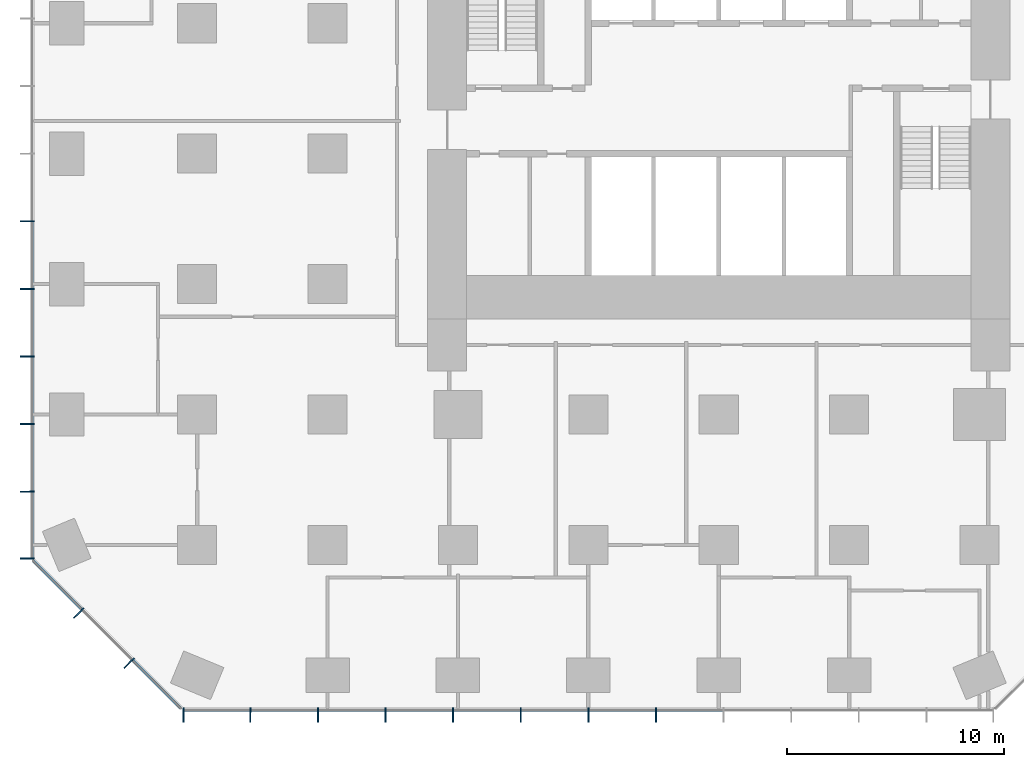
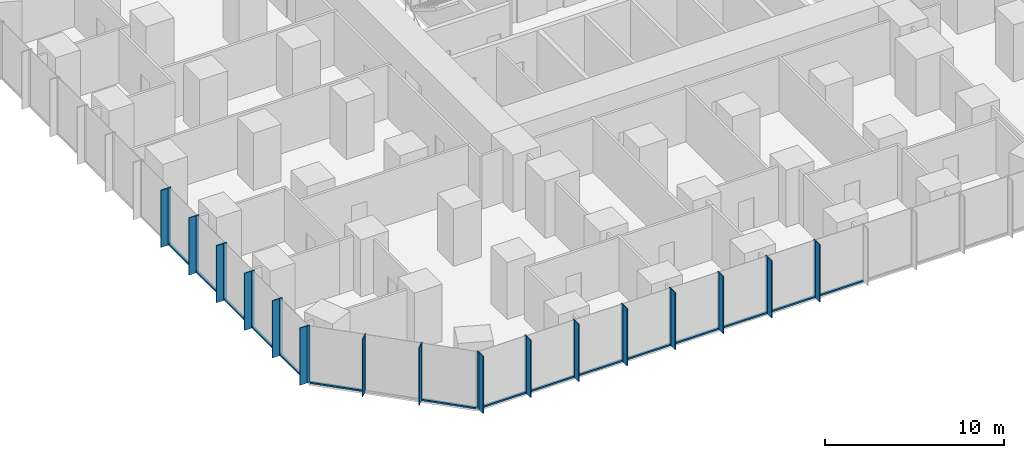
# One storey, part 2 of 12: 47 members, 3 elements without a shape of their own.
"""IFC4 building model written with IfcOpenShell, lengths in metres."""

from ifc_helpers import new_model, si_unit, direction, frame, origin, origin_2d, place, context, subcontext, project, spatial, rectangle, extrude, material, layer, layer_set, material_profile, profile_set, type_object, element, aggregate, save


model = new_model("IFC4")

# Units and contexts
model_context = context("Model", 3, precision=1e-05, world=origin(), true_north=direction((0.0, 1.0)))
body_context = subcontext(model_context, "Body", "Model", "MODEL_VIEW")
ifc_project = project(units=[si_unit("LENGTHUNIT", "METRE"), si_unit("AREAUNIT", "SQUARE_METRE"), si_unit("VOLUMEUNIT", "CUBIC_METRE"), si_unit("PLANEANGLEUNIT", "RADIAN"), si_unit("MASSUNIT", "GRAM", prefix="KILO")], contexts=[model_context])

# Site, building, storey
site_placement = place(None, origin())
site = spatial("IfcSite", under=ifc_project, at=site_placement, CompositionType="ELEMENT")
building_placement = place(site_placement, origin())
building = spatial("IfcBuilding", under=site, at=building_placement, Name="Highveld Stack Headquarters", CompositionType="ELEMENT")
storey_placement = place(building_placement, frame((0.0, 0.0, 26.0)))
storey = spatial("IfcBuildingStorey", under=building, at=storey_placement, Name="L05", CompositionType="ELEMENT", Elevation=26.0)

# Curtain wall, members
ifc_material_1 = material(Name="Aluminium bronze anodised", Category="aluminium")
ifc_layer_1 = layer(ifc_material_1, 0.199951171875)
ifc_layer_set_1 = layer_set([ifc_layer_1], Name="Aluminium bronze anodised")
curtain_wall_type_1 = type_object("IfcCurtainWallType", Name="CW1 TOWER UNITISED CURTAIN WALL", PredefinedType="NOTDEFINED", material=ifc_layer_set_1)
curtain_wall_1_placement = place(storey_placement, origin())
curtain_wall_1 = element("IfcCurtainWall", 1, at=curtain_wall_1_placement, inside=storey, type_object=curtain_wall_type_1, Name="Curtain wall CW1 L05 S", PredefinedType="NOTDEFINED")
ifc_material_2 = material(Name="Aluminium bronze anodised", Category="aluminium")
ifc_material_profile_1 = material_profile(ifc_material_2, rectangle(XDim=0.449951171875, YDim=0.06005859375, at=origin_2d()), Name="FIN 450x60")
ifc_profile_set_1 = profile_set([ifc_material_profile_1], Name="Aluminium bronze anodised")
member_type_1 = type_object("IfcMemberType", Name="CW1 BRONZE FIN 450x60", PredefinedType="USERDEFINED", material=ifc_profile_set_1)
member_1_placement = place(storey_placement, frame((-18.630126953125, -25.925048828125, 0.0), z_axis=(0.0, 0.0, 1.0), x_axis=(0.0, 1.0, 0.0)))
member_1 = element("IfcMember", 2, at=member_1_placement, type_object=member_type_1, Name="CW1 fin L05 1", ObjectType="FIN", PredefinedType="USERDEFINED", context=body_context, shape_type="SweptSolid", body=[
    extrude(rectangle(XDim=0.449951171875, YDim=0.06005859375, at=origin_2d()), origin(), (0.0, 0.0, 1.0), 3.89990234375),
])
member_2_placement = place(storey_placement, frame((-15.55224609375, -25.925048828125, 0.0), z_axis=(0.0, 0.0, 1.0), x_axis=(0.0, 1.0, 0.0)))
member_2 = element("IfcMember", 3, at=member_2_placement, type_object=member_type_1, Name="CW1 fin L05 2", ObjectType="FIN", PredefinedType="USERDEFINED", context=body_context, shape_type="SweptSolid", body=[
    extrude(rectangle(XDim=0.449951171875, YDim=0.06005859375, at=origin_2d()), origin(), (0.0, 0.0, 1.0), 3.89990234375),
])
member_3_placement = place(storey_placement, frame((-12.44189453125, -25.925048828125, 0.0), z_axis=(0.0, 0.0, 1.0), x_axis=(0.0, 1.0, 0.0)))
member_3 = element("IfcMember", 4, at=member_3_placement, type_object=member_type_1, Name="CW1 fin L05 3", ObjectType="FIN", PredefinedType="USERDEFINED", context=body_context, shape_type="SweptSolid", body=[
    extrude(rectangle(XDim=0.449951171875, YDim=0.06005859375, at=origin_2d()), origin(), (0.0, 0.0, 1.0), 3.89990234375),
])
member_4_placement = place(storey_placement, frame((-9.331298828125, -25.925048828125, 0.0), z_axis=(0.0, 0.0, 1.0), x_axis=(0.0, 1.0, 0.0)))
member_4 = element("IfcMember", 5, at=member_4_placement, type_object=member_type_1, Name="CW1 fin L05 4", ObjectType="FIN", PredefinedType="USERDEFINED", context=body_context, shape_type="SweptSolid", body=[
    extrude(rectangle(XDim=0.449951171875, YDim=0.06005859375, at=origin_2d()), origin(), (0.0, 0.0, 1.0), 3.89990234375),
])
member_5_placement = place(storey_placement, frame((-6.220947265625, -25.925048828125, 0.0), z_axis=(0.0, 0.0, 1.0), x_axis=(0.0, 1.0, 0.0)))
member_5 = element("IfcMember", 6, at=member_5_placement, type_object=member_type_1, Name="CW1 fin L05 5", ObjectType="FIN", PredefinedType="USERDEFINED", context=body_context, shape_type="SweptSolid", body=[
    extrude(rectangle(XDim=0.449951171875, YDim=0.06005859375, at=origin_2d()), origin(), (0.0, 0.0, 1.0), 3.89990234375),
])
member_6_placement = place(storey_placement, frame((-3.110595703125, -25.925048828125, 0.0), z_axis=(0.0, 0.0, 1.0), x_axis=(0.0, 1.0, 0.0)))
member_6 = element("IfcMember", 7, at=member_6_placement, type_object=member_type_1, Name="CW1 fin L05 6", ObjectType="FIN", PredefinedType="USERDEFINED", context=body_context, shape_type="SweptSolid", body=[
    extrude(rectangle(XDim=0.449951171875, YDim=0.06005859375, at=origin_2d()), origin(), (0.0, 0.0, 1.0), 3.89990234375),
])
member_7_placement = place(storey_placement, frame((0.0, -25.925048828125, 0.0), z_axis=(0.0, 0.0, 1.0), x_axis=(0.0, 1.0, 0.0)))
member_7 = element("IfcMember", 8, at=member_7_placement, type_object=member_type_1, Name="CW1 fin L05 7", ObjectType="FIN", PredefinedType="USERDEFINED", context=body_context, shape_type="SweptSolid", body=[
    extrude(rectangle(XDim=0.449951171875, YDim=0.06005859375, at=origin_2d()), origin(), (0.0, 0.0, 1.0), 3.89990234375),
])
member_8_placement = place(storey_placement, frame((3.110595703125, -25.925048828125, 0.0), z_axis=(0.0, 0.0, 1.0), x_axis=(0.0, 1.0, 0.0)))
member_8 = element("IfcMember", 9, at=member_8_placement, type_object=member_type_1, Name="CW1 fin L05 8", ObjectType="FIN", PredefinedType="USERDEFINED", context=body_context, shape_type="SweptSolid", body=[
    extrude(rectangle(XDim=0.449951171875, YDim=0.06005859375, at=origin_2d()), origin(), (0.0, 0.0, 1.0), 3.89990234375),
])

curtain_wall_2_placement = place(storey_placement, origin())
curtain_wall_2 = element("IfcCurtainWall", 10, at=curtain_wall_2_placement, inside=storey, type_object=curtain_wall_type_1, Name="Curtain wall CW1 L05 W", PredefinedType="NOTDEFINED")
member_9_placement = place(storey_placement, frame((-25.925048828125, -3.110595703125, 0.0), z_axis=(0.0, 0.0, 1.0), x_axis=(1.0, 0.0, 0.0)))
member_9 = element("IfcMember", 11, at=member_9_placement, type_object=member_type_1, Name="CW1 fin L05 8", ObjectType="FIN", PredefinedType="USERDEFINED", context=body_context, shape_type="SweptSolid", body=[
    extrude(rectangle(XDim=0.449951171875, YDim=0.06005859375, at=origin_2d()), origin(), (0.0, 0.0, 1.0), 3.89990234375),
])
member_10_placement = place(storey_placement, frame((-25.925048828125, -6.220947265625, 0.0), z_axis=(0.0, 0.0, 1.0), x_axis=(1.0, 0.0, 0.0)))
member_10 = element("IfcMember", 12, at=member_10_placement, type_object=member_type_1, Name="CW1 fin L05 9", ObjectType="FIN", PredefinedType="USERDEFINED", context=body_context, shape_type="SweptSolid", body=[
    extrude(rectangle(XDim=0.449951171875, YDim=0.06005859375, at=origin_2d()), origin(), (0.0, 0.0, 1.0), 3.89990234375),
])
member_11_placement = place(storey_placement, frame((-25.925048828125, -9.331298828125, 0.0), z_axis=(0.0, 0.0, 1.0), x_axis=(1.0, 0.0, 0.0)))
member_11 = element("IfcMember", 13, at=member_11_placement, type_object=member_type_1, Name="CW1 fin L05 10", ObjectType="FIN", PredefinedType="USERDEFINED", context=body_context, shape_type="SweptSolid", body=[
    extrude(rectangle(XDim=0.449951171875, YDim=0.06005859375, at=origin_2d()), origin(), (0.0, 0.0, 1.0), 3.89990234375),
])
member_12_placement = place(storey_placement, frame((-25.925048828125, -12.44189453125, 0.0), z_axis=(0.0, 0.0, 1.0), x_axis=(1.0, 0.0, 0.0)))
member_12 = element("IfcMember", 14, at=member_12_placement, type_object=member_type_1, Name="CW1 fin L05 11", ObjectType="FIN", PredefinedType="USERDEFINED", context=body_context, shape_type="SweptSolid", body=[
    extrude(rectangle(XDim=0.449951171875, YDim=0.06005859375, at=origin_2d()), origin(), (0.0, 0.0, 1.0), 3.89990234375),
])
member_13_placement = place(storey_placement, frame((-25.925048828125, -15.55224609375, 0.0), z_axis=(0.0, 0.0, 1.0), x_axis=(1.0, 0.0, 0.0)))
member_13 = element("IfcMember", 15, at=member_13_placement, type_object=member_type_1, Name="CW1 fin L05 12", ObjectType="FIN", PredefinedType="USERDEFINED", context=body_context, shape_type="SweptSolid", body=[
    extrude(rectangle(XDim=0.449951171875, YDim=0.06005859375, at=origin_2d()), origin(), (0.0, 0.0, 1.0), 3.89990234375),
])
member_14_placement = place(storey_placement, frame((-25.925048828125, -18.630126953125, 0.0), z_axis=(0.0, 0.0, 1.0), x_axis=(1.0, 0.0, 0.0)))
member_14 = element("IfcMember", 16, at=member_14_placement, type_object=member_type_1, Name="CW1 fin L05 13", ObjectType="FIN", PredefinedType="USERDEFINED", context=body_context, shape_type="SweptSolid", body=[
    extrude(rectangle(XDim=0.449951171875, YDim=0.06005859375, at=origin_2d()), origin(), (0.0, 0.0, 1.0), 3.89990234375),
])

# Member
ifc_material_3 = material(Name="Aluminium bronze anodised", Category="aluminium")
ifc_material_profile_2 = material_profile(ifc_material_3, rectangle(XDim=0.199951171875, YDim=0.06494140625, at=origin_2d()), Name="CW1 MULLION 65x200")
ifc_profile_set_2 = profile_set([ifc_material_profile_2], Name="Aluminium bronze anodised")
member_type_2 = type_object("IfcMemberType", Name="CW1 MULLION 65x200", PredefinedType="MULLION", material=ifc_profile_set_2)
member_15_placement = place(storey_placement, frame((-18.630126953125, -25.60009765625, 0.0), z_axis=(0.0, 0.0, 1.0), x_axis=(0.0, 1.0, 0.0)))
member_15 = element("IfcMember", 17, at=member_15_placement, type_object=member_type_2, Name="CW1 mullion L05 1", PredefinedType="MULLION", context=body_context, shape_type="SweptSolid", body=[
    extrude(rectangle(XDim=0.199951171875, YDim=0.06494140625, at=origin_2d()), origin(), (0.0, 0.0, 1.0), 3.89990234375),
])

member_16_placement = place(storey_placement, frame((-15.55224609375, -25.60009765625, 0.0), z_axis=(0.0, 0.0, 1.0), x_axis=(0.0, 1.0, 0.0)))
member_16 = element("IfcMember", 18, at=member_16_placement, type_object=member_type_2, Name="CW1 mullion L05 2", PredefinedType="MULLION", context=body_context, shape_type="SweptSolid", body=[
    extrude(rectangle(XDim=0.199951171875, YDim=0.06494140625, at=origin_2d()), origin(), (0.0, 0.0, 1.0), 3.89990234375),
])

member_17_placement = place(storey_placement, frame((-12.44189453125, -25.60009765625, 0.0), z_axis=(0.0, 0.0, 1.0), x_axis=(0.0, 1.0, 0.0)))
member_17 = element("IfcMember", 19, at=member_17_placement, type_object=member_type_2, Name="CW1 mullion L05 3", PredefinedType="MULLION", context=body_context, shape_type="SweptSolid", body=[
    extrude(rectangle(XDim=0.199951171875, YDim=0.06494140625, at=origin_2d()), origin(), (0.0, 0.0, 1.0), 3.89990234375),
])

member_18_placement = place(storey_placement, frame((-9.331298828125, -25.60009765625, 0.0), z_axis=(0.0, 0.0, 1.0), x_axis=(0.0, 1.0, 0.0)))
member_18 = element("IfcMember", 20, at=member_18_placement, type_object=member_type_2, Name="CW1 mullion L05 4", PredefinedType="MULLION", context=body_context, shape_type="SweptSolid", body=[
    extrude(rectangle(XDim=0.199951171875, YDim=0.06494140625, at=origin_2d()), origin(), (0.0, 0.0, 1.0), 3.89990234375),
])

member_19_placement = place(storey_placement, frame((-6.220947265625, -25.60009765625, 0.0), z_axis=(0.0, 0.0, 1.0), x_axis=(0.0, 1.0, 0.0)))
member_19 = element("IfcMember", 21, at=member_19_placement, type_object=member_type_2, Name="CW1 mullion L05 5", PredefinedType="MULLION", context=body_context, shape_type="SweptSolid", body=[
    extrude(rectangle(XDim=0.199951171875, YDim=0.06494140625, at=origin_2d()), origin(), (0.0, 0.0, 1.0), 3.89990234375),
])

member_20_placement = place(storey_placement, frame((-3.110595703125, -25.60009765625, 0.0), z_axis=(0.0, 0.0, 1.0), x_axis=(0.0, 1.0, 0.0)))
member_20 = element("IfcMember", 22, at=member_20_placement, type_object=member_type_2, Name="CW1 mullion L05 6", PredefinedType="MULLION", context=body_context, shape_type="SweptSolid", body=[
    extrude(rectangle(XDim=0.199951171875, YDim=0.06494140625, at=origin_2d()), origin(), (0.0, 0.0, 1.0), 3.89990234375),
])

member_21_placement = place(storey_placement, frame((0.0, -25.60009765625, 0.0), z_axis=(0.0, 0.0, 1.0), x_axis=(0.0, 1.0, 0.0)))
member_21 = element("IfcMember", 23, at=member_21_placement, type_object=member_type_2, Name="CW1 mullion L05 7", PredefinedType="MULLION", context=body_context, shape_type="SweptSolid", body=[
    extrude(rectangle(XDim=0.199951171875, YDim=0.06494140625, at=origin_2d()), origin(), (0.0, 0.0, 1.0), 3.89990234375),
])

member_22_placement = place(storey_placement, frame((3.110595703125, -25.60009765625, 0.0), z_axis=(0.0, 0.0, 1.0), x_axis=(0.0, 1.0, 0.0)))
member_22 = element("IfcMember", 24, at=member_22_placement, type_object=member_type_2, Name="CW1 mullion L05 8", PredefinedType="MULLION", context=body_context, shape_type="SweptSolid", body=[
    extrude(rectangle(XDim=0.199951171875, YDim=0.06494140625, at=origin_2d()), origin(), (0.0, 0.0, 1.0), 3.89990234375),
])

member_23_placement = place(storey_placement, frame((-25.60009765625, -3.110595703125, 0.0), z_axis=(0.0, 0.0, 1.0), x_axis=(1.0, 0.0, 0.0)))
member_23 = element("IfcMember", 25, at=member_23_placement, type_object=member_type_2, Name="CW1 mullion L05 8", PredefinedType="MULLION", context=body_context, shape_type="SweptSolid", body=[
    extrude(rectangle(XDim=0.199951171875, YDim=0.06494140625, at=origin_2d()), origin(), (0.0, 0.0, 1.0), 3.89990234375),
])

member_24_placement = place(storey_placement, frame((-25.60009765625, -6.220947265625, 0.0), z_axis=(0.0, 0.0, 1.0), x_axis=(1.0, 0.0, 0.0)))
member_24 = element("IfcMember", 26, at=member_24_placement, type_object=member_type_2, Name="CW1 mullion L05 9", PredefinedType="MULLION", context=body_context, shape_type="SweptSolid", body=[
    extrude(rectangle(XDim=0.199951171875, YDim=0.06494140625, at=origin_2d()), origin(), (0.0, 0.0, 1.0), 3.89990234375),
])

member_25_placement = place(storey_placement, frame((-25.60009765625, -9.331298828125, 0.0), z_axis=(0.0, 0.0, 1.0), x_axis=(1.0, 0.0, 0.0)))
member_25 = element("IfcMember", 27, at=member_25_placement, type_object=member_type_2, Name="CW1 mullion L05 10", PredefinedType="MULLION", context=body_context, shape_type="SweptSolid", body=[
    extrude(rectangle(XDim=0.199951171875, YDim=0.06494140625, at=origin_2d()), origin(), (0.0, 0.0, 1.0), 3.89990234375),
])

member_26_placement = place(storey_placement, frame((-25.60009765625, -12.44189453125, 0.0), z_axis=(0.0, 0.0, 1.0), x_axis=(1.0, 0.0, 0.0)))
member_26 = element("IfcMember", 28, at=member_26_placement, type_object=member_type_2, Name="CW1 mullion L05 11", PredefinedType="MULLION", context=body_context, shape_type="SweptSolid", body=[
    extrude(rectangle(XDim=0.199951171875, YDim=0.06494140625, at=origin_2d()), origin(), (0.0, 0.0, 1.0), 3.89990234375),
])

member_27_placement = place(storey_placement, frame((-25.60009765625, -15.55224609375, 0.0), z_axis=(0.0, 0.0, 1.0), x_axis=(1.0, 0.0, 0.0)))
member_27 = element("IfcMember", 29, at=member_27_placement, type_object=member_type_2, Name="CW1 mullion L05 12", PredefinedType="MULLION", context=body_context, shape_type="SweptSolid", body=[
    extrude(rectangle(XDim=0.199951171875, YDim=0.06494140625, at=origin_2d()), origin(), (0.0, 0.0, 1.0), 3.89990234375),
])

member_28_placement = place(storey_placement, frame((-25.60009765625, -18.630126953125, 0.0), z_axis=(0.0, 0.0, 1.0), x_axis=(1.0, 0.0, 0.0)))
member_28 = element("IfcMember", 30, at=member_28_placement, type_object=member_type_2, Name="CW1 mullion L05 13", PredefinedType="MULLION", context=body_context, shape_type="SweptSolid", body=[
    extrude(rectangle(XDim=0.199951171875, YDim=0.06494140625, at=origin_2d()), origin(), (0.0, 0.0, 1.0), 3.89990234375),
])

ifc_material_4 = material(Name="Aluminium bronze anodised", Category="aluminium")
ifc_material_profile_3 = material_profile(ifc_material_4, rectangle(XDim=0.14990234375, YDim=0.10009765625, at=origin_2d()), Name="CW1 TRANSOM 150x100")
ifc_profile_set_3 = profile_set([ifc_material_profile_3], Name="Aluminium bronze anodised")
member_type_3 = type_object("IfcMemberType", Name="CW1 STACK TRANSOM 150x100", PredefinedType="USERDEFINED", material=ifc_profile_set_3)
member_29_placement = place(storey_placement, frame((-18.59765625, -25.60009765625, 0.050048828125), z_axis=(1.0, 0.0, 0.0), x_axis=(0.0, 1.0, 0.0)))
member_29 = element("IfcMember", 31, at=member_29_placement, type_object=member_type_3, Name="CW1 transom L05 1.1", ObjectType="TRANSOM", PredefinedType="USERDEFINED", context=body_context, shape_type="SweptSolid", body=[
    extrude(rectangle(XDim=0.14990234375, YDim=0.10009765625, at=origin_2d()), origin(), (0.0, 0.0, 1.0), 3.012939453125),
])

member_30_placement = place(storey_placement, frame((-15.519775390625, -25.60009765625, 0.050048828125), z_axis=(1.0, 0.0, 0.0), x_axis=(0.0, 1.0, 0.0)))
member_30 = element("IfcMember", 32, at=member_30_placement, type_object=member_type_3, Name="CW1 transom L05 2.1", ObjectType="TRANSOM", PredefinedType="USERDEFINED", context=body_context, shape_type="SweptSolid", body=[
    extrude(rectangle(XDim=0.14990234375, YDim=0.10009765625, at=origin_2d()), origin(), (0.0, 0.0, 1.0), 3.04541015625),
])

member_31_placement = place(storey_placement, frame((-12.4091796875, -25.60009765625, 0.050048828125), z_axis=(1.0, 0.0, 0.0), x_axis=(0.0, 1.0, 0.0)))
member_31 = element("IfcMember", 33, at=member_31_placement, type_object=member_type_3, Name="CW1 transom L05 3.1", ObjectType="TRANSOM", PredefinedType="USERDEFINED", context=body_context, shape_type="SweptSolid", body=[
    extrude(rectangle(XDim=0.14990234375, YDim=0.10009765625, at=origin_2d()), origin(), (0.0, 0.0, 1.0), 3.045166015625),
])

member_32_placement = place(storey_placement, frame((-9.298828125, -25.60009765625, 0.050048828125), z_axis=(1.0, 0.0, 0.0), x_axis=(0.0, 1.0, 0.0)))
member_32 = element("IfcMember", 34, at=member_32_placement, type_object=member_type_3, Name="CW1 transom L05 4.1", ObjectType="TRANSOM", PredefinedType="USERDEFINED", context=body_context, shape_type="SweptSolid", body=[
    extrude(rectangle(XDim=0.14990234375, YDim=0.10009765625, at=origin_2d()), origin(), (0.0, 0.0, 1.0), 3.04541015625),
])

member_33_placement = place(storey_placement, frame((-6.1884765625, -25.60009765625, 0.050048828125), z_axis=(1.0, 0.0, 0.0), x_axis=(0.0, 1.0, 0.0)))
member_33 = element("IfcMember", 35, at=member_33_placement, type_object=member_type_3, Name="CW1 transom L05 5.1", ObjectType="TRANSOM", PredefinedType="USERDEFINED", context=body_context, shape_type="SweptSolid", body=[
    extrude(rectangle(XDim=0.14990234375, YDim=0.10009765625, at=origin_2d()), origin(), (0.0, 0.0, 1.0), 3.04541015625),
])

member_34_placement = place(storey_placement, frame((-3.077880859375, -25.60009765625, 0.050048828125), z_axis=(1.0, 0.0, 0.0), x_axis=(0.0, 1.0, 0.0)))
member_34 = element("IfcMember", 36, at=member_34_placement, type_object=member_type_3, Name="CW1 transom L05 6.1", ObjectType="TRANSOM", PredefinedType="USERDEFINED", context=body_context, shape_type="SweptSolid", body=[
    extrude(rectangle(XDim=0.14990234375, YDim=0.10009765625, at=origin_2d()), origin(), (0.0, 0.0, 1.0), 3.04541015625),
])

member_35_placement = place(storey_placement, frame((0.032470703125, -25.60009765625, 0.050048828125), z_axis=(1.0, 0.0, 0.0), x_axis=(0.0, 1.0, 0.0)))
member_35 = element("IfcMember", 37, at=member_35_placement, type_object=member_type_3, Name="CW1 transom L05 7.1", ObjectType="TRANSOM", PredefinedType="USERDEFINED", context=body_context, shape_type="SweptSolid", body=[
    extrude(rectangle(XDim=0.14990234375, YDim=0.10009765625, at=origin_2d()), origin(), (0.0, 0.0, 1.0), 3.04541015625),
])

member_36_placement = place(storey_placement, frame((3.142822265625, -25.60009765625, 0.050048828125), z_axis=(1.0, 0.0, 0.0), x_axis=(0.0, 1.0, 0.0)))
member_36 = element("IfcMember", 38, at=member_36_placement, type_object=member_type_3, Name="CW1 transom L05 8.1", ObjectType="TRANSOM", PredefinedType="USERDEFINED", context=body_context, shape_type="SweptSolid", body=[
    extrude(rectangle(XDim=0.14990234375, YDim=0.10009765625, at=origin_2d()), origin(), (0.0, 0.0, 1.0), 3.045654296875),
])

aggregate(curtain_wall_1, [member_15, member_1, member_16, member_2, member_17, member_3, member_18, member_4, member_19, member_5, member_20, member_6, member_21, member_7, member_22, member_8, member_29, member_30, member_31, member_32, member_33, member_34, member_35, member_36])

member_37_placement = place(storey_placement, frame((-25.60009765625, -3.142822265625, 0.050048828125), z_axis=(0.0, -1.0, 0.0), x_axis=(1.0, 0.0, 0.0)))
member_37 = element("IfcMember", 39, at=member_37_placement, type_object=member_type_3, Name="CW1 transom L05 8.1", ObjectType="TRANSOM", PredefinedType="USERDEFINED", context=body_context, shape_type="SweptSolid", body=[
    extrude(rectangle(XDim=0.14990234375, YDim=0.10009765625, at=origin_2d()), origin(), (0.0, 0.0, 1.0), 3.045654296875),
])

member_38_placement = place(storey_placement, frame((-25.60009765625, -6.25341796875, 0.050048828125), z_axis=(0.0, -1.0, 0.0), x_axis=(1.0, 0.0, 0.0)))
member_38 = element("IfcMember", 40, at=member_38_placement, type_object=member_type_3, Name="CW1 transom L05 9.1", ObjectType="TRANSOM", PredefinedType="USERDEFINED", context=body_context, shape_type="SweptSolid", body=[
    extrude(rectangle(XDim=0.14990234375, YDim=0.10009765625, at=origin_2d()), origin(), (0.0, 0.0, 1.0), 3.04541015625),
])

member_39_placement = place(storey_placement, frame((-25.60009765625, -9.36376953125, 0.050048828125), z_axis=(0.0, -1.0, 0.0), x_axis=(1.0, 0.0, 0.0)))
member_39 = element("IfcMember", 41, at=member_39_placement, type_object=member_type_3, Name="CW1 transom L05 10.1", ObjectType="TRANSOM", PredefinedType="USERDEFINED", context=body_context, shape_type="SweptSolid", body=[
    extrude(rectangle(XDim=0.14990234375, YDim=0.10009765625, at=origin_2d()), origin(), (0.0, 0.0, 1.0), 3.04541015625),
])

member_40_placement = place(storey_placement, frame((-25.60009765625, -12.474365234375, 0.050048828125), z_axis=(0.0, -1.0, 0.0), x_axis=(1.0, 0.0, 0.0)))
member_40 = element("IfcMember", 42, at=member_40_placement, type_object=member_type_3, Name="CW1 transom L05 11.1", ObjectType="TRANSOM", PredefinedType="USERDEFINED", context=body_context, shape_type="SweptSolid", body=[
    extrude(rectangle(XDim=0.14990234375, YDim=0.10009765625, at=origin_2d()), origin(), (0.0, 0.0, 1.0), 3.04541015625),
])

member_41_placement = place(storey_placement, frame((-25.60009765625, -15.584716796875, 0.050048828125), z_axis=(0.0, -1.0, 0.0), x_axis=(1.0, 0.0, 0.0)))
member_41 = element("IfcMember", 43, at=member_41_placement, type_object=member_type_3, Name="CW1 transom L05 12.1", ObjectType="TRANSOM", PredefinedType="USERDEFINED", context=body_context, shape_type="SweptSolid", body=[
    extrude(rectangle(XDim=0.14990234375, YDim=0.10009765625, at=origin_2d()), origin(), (0.0, 0.0, 1.0), 3.012939453125),
])

aggregate(curtain_wall_2, [member_23, member_9, member_24, member_10, member_25, member_11, member_26, member_12, member_27, member_13, member_28, member_14, member_37, member_38, member_39, member_40, member_41])

# Curtain wall, members
ifc_material_5 = material(Name="Aluminium bronze anodised", Category="aluminium")
ifc_layer_2 = layer(ifc_material_5, 0.199951171875)
ifc_layer_set_2 = layer_set([ifc_layer_2], Name="Aluminium bronze anodised")
curtain_wall_type_2 = type_object("IfcCurtainWallType", Name="CW2 TOWER CHAMFER UNITISED CURTAIN WALL", PredefinedType="NOTDEFINED", material=ifc_layer_set_2)
curtain_wall_3_placement = place(storey_placement, origin())
curtain_wall_3 = element("IfcCurtainWall", 44, at=curtain_wall_3_placement, inside=storey, type_object=curtain_wall_type_2, Name="Curtain wall CW2 L05 SW", PredefinedType="NOTDEFINED")
ifc_material_6 = material(Name="Aluminium bronze anodised", Category="aluminium")
ifc_material_profile_4 = material_profile(ifc_material_6, rectangle(XDim=0.449951171875, YDim=0.06005859375, at=origin_2d()), Name="FIN 450x60")
ifc_profile_set_4 = profile_set([ifc_material_profile_4], Name="Aluminium bronze anodised")
member_type_4 = type_object("IfcMemberType", Name="CW2 BRONZE FIN 450x60", PredefinedType="USERDEFINED", material=ifc_profile_set_4)
member_42_placement = place(storey_placement, frame((-23.517333984375, -21.204833984375, 0.0), z_axis=(0.0, 0.0, 1.0), x_axis=(0.707106781187, 0.707106781187, 0.0)))
member_42 = element("IfcMember", 45, at=member_42_placement, type_object=member_type_4, Name="CW2 fin L05 1", ObjectType="FIN", PredefinedType="USERDEFINED", context=body_context, shape_type="SweptSolid", body=[
    extrude(rectangle(XDim=0.449951171875, YDim=0.06005859375, at=origin_2d()), origin(), (0.0, 0.0, 1.0), 3.89990234375),
])
member_43_placement = place(storey_placement, frame((-21.204833984375, -23.517333984375, 0.0), z_axis=(0.0, 0.0, 1.0), x_axis=(0.707106781187, 0.707106781187, 0.0)))
member_43 = element("IfcMember", 46, at=member_43_placement, type_object=member_type_4, Name="CW2 fin L05 2", ObjectType="FIN", PredefinedType="USERDEFINED", context=body_context, shape_type="SweptSolid", body=[
    extrude(rectangle(XDim=0.449951171875, YDim=0.06005859375, at=origin_2d()), origin(), (0.0, 0.0, 1.0), 3.89990234375),
])
ifc_material_7 = material(Name="Aluminium bronze anodised", Category="aluminium")
ifc_material_profile_5 = material_profile(ifc_material_7, rectangle(XDim=0.199951171875, YDim=0.06494140625, at=origin_2d()), Name="CW2 MULLION 65x200")
ifc_profile_set_5 = profile_set([ifc_material_profile_5], Name="Aluminium bronze anodised")
member_type_5 = type_object("IfcMemberType", Name="CW2 MULLION 65x200", PredefinedType="MULLION", material=ifc_profile_set_5)
member_44_placement = place(storey_placement, frame((-23.28759765625, -20.97509765625, 0.0), z_axis=(0.0, 0.0, 1.0), x_axis=(0.707106781187, 0.707106781187, 0.0)))
member_44 = element("IfcMember", 47, at=member_44_placement, type_object=member_type_5, Name="CW2 mullion L05 1", PredefinedType="MULLION", context=body_context, shape_type="SweptSolid", body=[
    extrude(rectangle(XDim=0.199951171875, YDim=0.06494140625, at=origin_2d()), origin(), (0.0, 0.0, 1.0), 3.89990234375),
])
member_45_placement = place(storey_placement, frame((-20.97509765625, -23.28759765625, 0.0), z_axis=(0.0, 0.0, 1.0), x_axis=(0.707106781187, 0.707106781187, 0.0)))
member_45 = element("IfcMember", 48, at=member_45_placement, type_object=member_type_5, Name="CW2 mullion L05 2", PredefinedType="MULLION", context=body_context, shape_type="SweptSolid", body=[
    extrude(rectangle(XDim=0.199951171875, YDim=0.06494140625, at=origin_2d()), origin(), (0.0, 0.0, 1.0), 3.89990234375),
])
ifc_material_8 = material(Name="Aluminium bronze anodised", Category="aluminium")
ifc_material_profile_6 = material_profile(ifc_material_8, rectangle(XDim=0.14990234375, YDim=0.10009765625, at=origin_2d()), Name="CW2 TRANSOM 150x100")
ifc_profile_set_6 = profile_set([ifc_material_profile_6], Name="Aluminium bronze anodised")
member_type_6 = type_object("IfcMemberType", Name="CW2 STACK TRANSOM 150x100", PredefinedType="USERDEFINED", material=ifc_profile_set_6)
member_46_placement = place(storey_placement, frame((-25.529296875, -18.7333984375, 0.050048828125), z_axis=(0.707106781187, -0.707106781187, 0.0), x_axis=(0.707106781187, 0.707106781187, 0.0)))
member_46 = element("IfcMember", 49, at=member_46_placement, type_object=member_type_6, Name="CW2 transom L05 1.1", ObjectType="TRANSOM", PredefinedType="USERDEFINED", context=body_context, shape_type="SweptSolid", body=[
    extrude(rectangle(XDim=0.14990234375, YDim=0.10009765625, at=origin_2d()), origin(), (0.0, 0.0, 1.0), 3.1376953125),
])
member_47_placement = place(storey_placement, frame((-20.9521484375, -23.310546875, 0.050048828125), z_axis=(0.707106781187, -0.707106781187, 0.0), x_axis=(0.707106781187, 0.707106781187, 0.0)))
member_47 = element("IfcMember", 50, at=member_47_placement, type_object=member_type_6, Name="CW2 transom L05 3.1", ObjectType="TRANSOM", PredefinedType="USERDEFINED", context=body_context, shape_type="SweptSolid", body=[
    extrude(rectangle(XDim=0.14990234375, YDim=0.10009765625, at=origin_2d()), origin(), (0.0, 0.0, 1.0), 3.1376953125),
])
aggregate(curtain_wall_3, [member_44, member_42, member_45, member_43, member_46, member_47])

save(model, "model.ifc")
